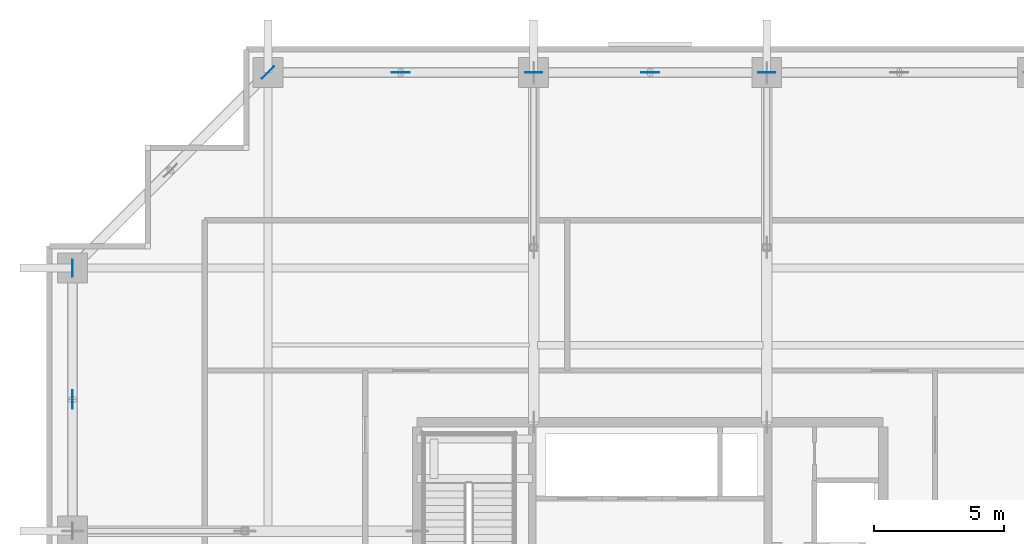
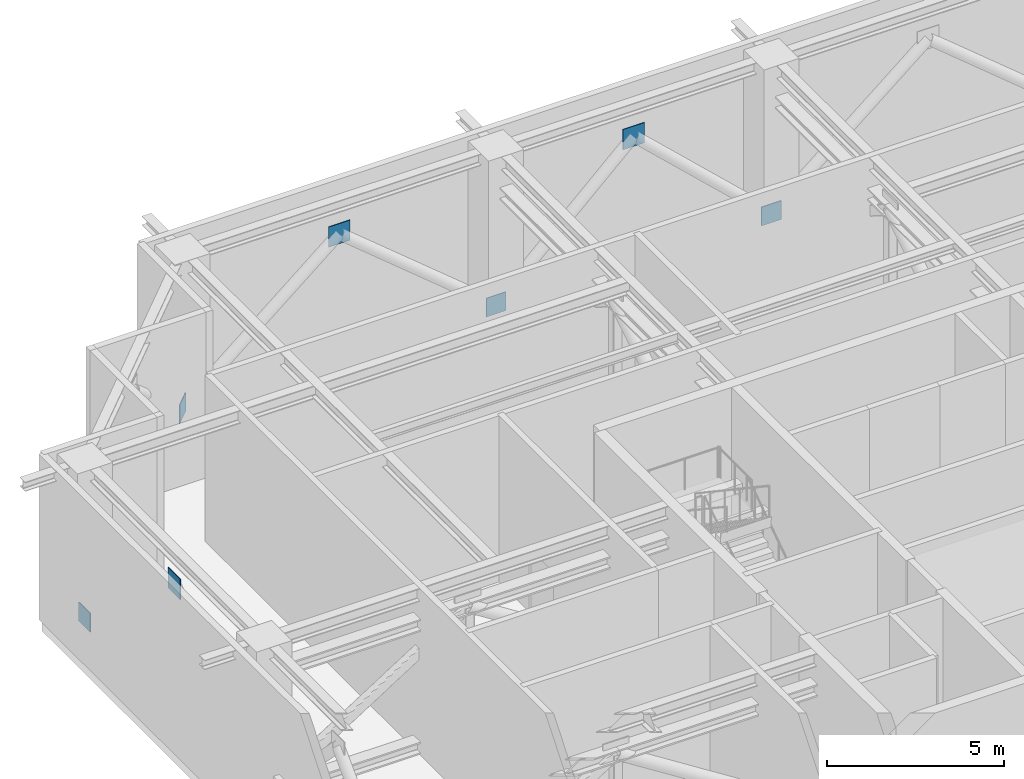
# One storey, part 13 of 22: 7 plates.
"""IFC4 building model written with IfcOpenShell, lengths in metres."""

from ifc_helpers import new_model, si_unit, direction, frame, origin, origin_2d, place, context, subcontext, project, spatial, rectangle, extrude, source, transform, mapped, material, layer, layer_set, type_object, element, save


model = new_model("IFC4")

# Units and contexts
model_context = context("Model", 3, precision=1e-05, world=origin(), true_north=direction((0.0, 1.0)))
body_context = subcontext(model_context, "Body", "Model", "MODEL_VIEW")
ifc_project = project(units=[si_unit("LENGTHUNIT", "METRE"), si_unit("AREAUNIT", "SQUARE_METRE"), si_unit("VOLUMEUNIT", "CUBIC_METRE"), si_unit("PLANEANGLEUNIT", "RADIAN"), si_unit("MASSUNIT", "GRAM", prefix="KILO")], contexts=[model_context])

# Site, building, storey
site_placement = place(None, origin())
site = spatial("IfcSite", under=ifc_project, at=site_placement, CompositionType="ELEMENT")
building_placement = place(site_placement, origin())
building = spatial("IfcBuilding", under=site, at=building_placement, Name="Serunith Strait Residences", CompositionType="ELEMENT")
storey_placement = place(building_placement, frame((0.0, 0.0, 287.449951171875)))
storey = spatial("IfcBuildingStorey", under=building, at=storey_placement, Name="L72", CompositionType="ELEMENT", Elevation=287.449951171875)

# Plates
ifc_material = material(Name="Steel S460M", Category="steel")
ifc_layer = layer(ifc_material, 0.02490234375, Name="Steel S460M")
ifc_layer_set = layer_set([ifc_layer], Name="Steel S460M")
plate_type = type_object("IfcPlateType", Name="PLT-CAP-25", PredefinedType="SHEET", material=ifc_layer_set)
shared_shape_1 = source(origin(), body_context, "Body", "SweptSolid", [
    extrude(rectangle(XDim=0.699951171875, YDim=0.02490234375, at=origin_2d()), origin(), (0.0, 0.0, 1.0), 0.699951171875),
])
for number, where, z_axis, x_axis, name in (
    (1, (32.39990234375, 47.10009765625, 4.14013671875), (0.0, 0.0, 1.0), (-1.0, 0.0, 0.0), "L72 Belt Truss Apex Gusset 10"),
    (2, (22.77490234375, 47.10009765625, 4.14013671875), (0.0, 0.0, 1.0), (-1.0, 0.0, 0.0), "L72 Belt Truss Apex Gusset 11"),
    (3, (10.10009765625, 34.47509765625, 4.14013671875), (0.0, 0.0, 1.0), (0.0, -1.0, 0.0), "L72 Belt Truss Apex Gusset 13"),
):
    element("IfcPlate", number, at=place(storey_placement, frame(where, z_axis=z_axis, x_axis=x_axis)), inside=storey, type_object=plate_type, Name=name, PredefinedType="SHEET", context=body_context, shape_type="MappedRepresentation", body=[
        mapped(shared_shape_1, transform((0.0, 0.0, 0.0), scale=1.0)),
    ])
shared_shape_2 = source(origin(), body_context, "Body", "SweptSolid", [
    extrude(rectangle(XDim=0.64990234375, YDim=0.02490234375, at=origin_2d()), origin(), (0.0, 0.0, 1.0), 0.64990234375),
])
for number, where, z_axis, x_axis, name in (
    (4, (36.89990234375, 47.10009765625, -0.074951171875), (0.0, 0.0, 1.0), (-1.0, 0.0, 0.0), "L72 Belt Truss Column Node Plate 10"),
    (5, (27.89990234375, 47.10009765625, -0.074951171875), (0.0, 0.0, 1.0), (-1.0, 0.0, 0.0), "L72 Belt Truss Column Node Plate 11"),
    (6, (17.64990234375, 47.10009765625, -0.074951171875), (0.0, 0.0, 1.0), (-0.707106781187, -0.707106781187, 0.0), "L72 Belt Truss Column Node Plate 12"),
    (7, (10.10009765625, 39.550048828125, -0.074951171875), (0.0, 0.0, 1.0), (0.0, -1.0, 0.0), "L72 Belt Truss Column Node Plate 13"),
):
    element("IfcPlate", number, at=place(storey_placement, frame(where, z_axis=z_axis, x_axis=x_axis)), inside=storey, type_object=plate_type, Name=name, PredefinedType="SHEET", context=body_context, shape_type="MappedRepresentation", body=[
        mapped(shared_shape_2, transform((0.0, 0.0, 0.0), scale=1.0)),
    ])

save(model, "model.ifc")
